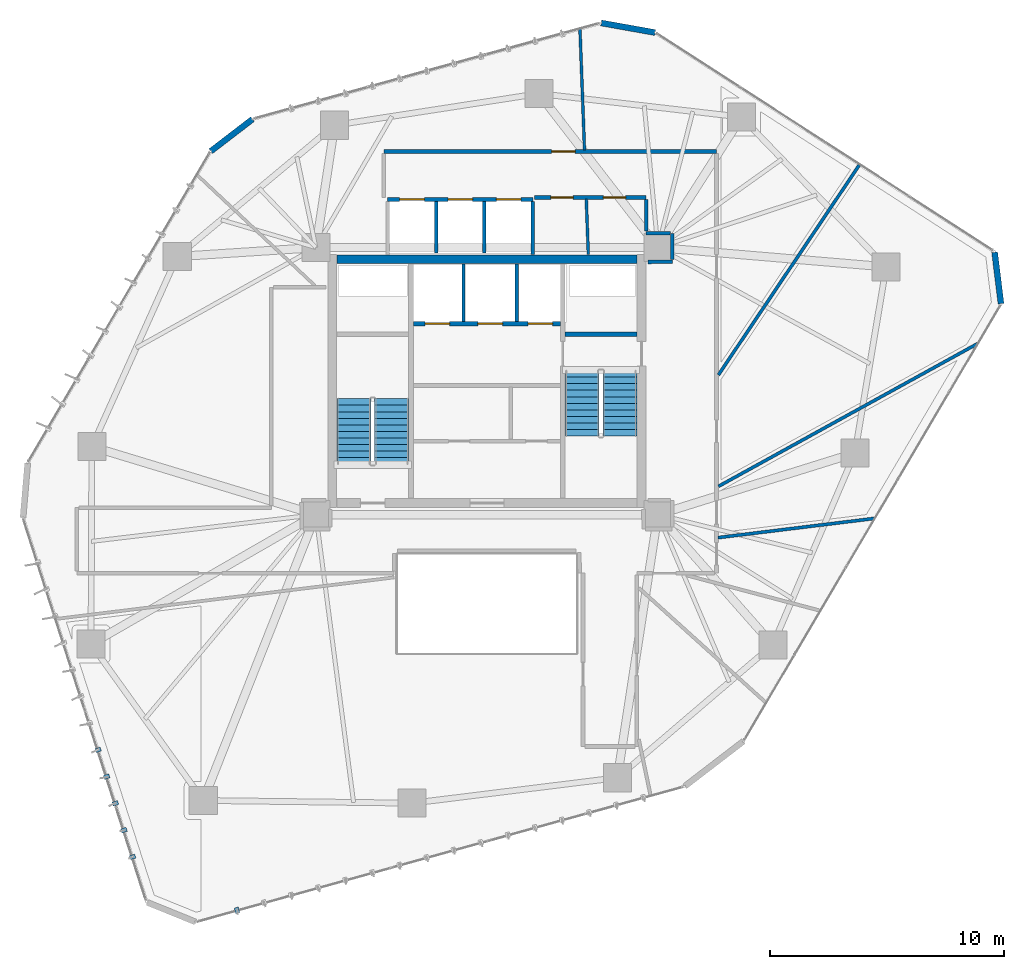
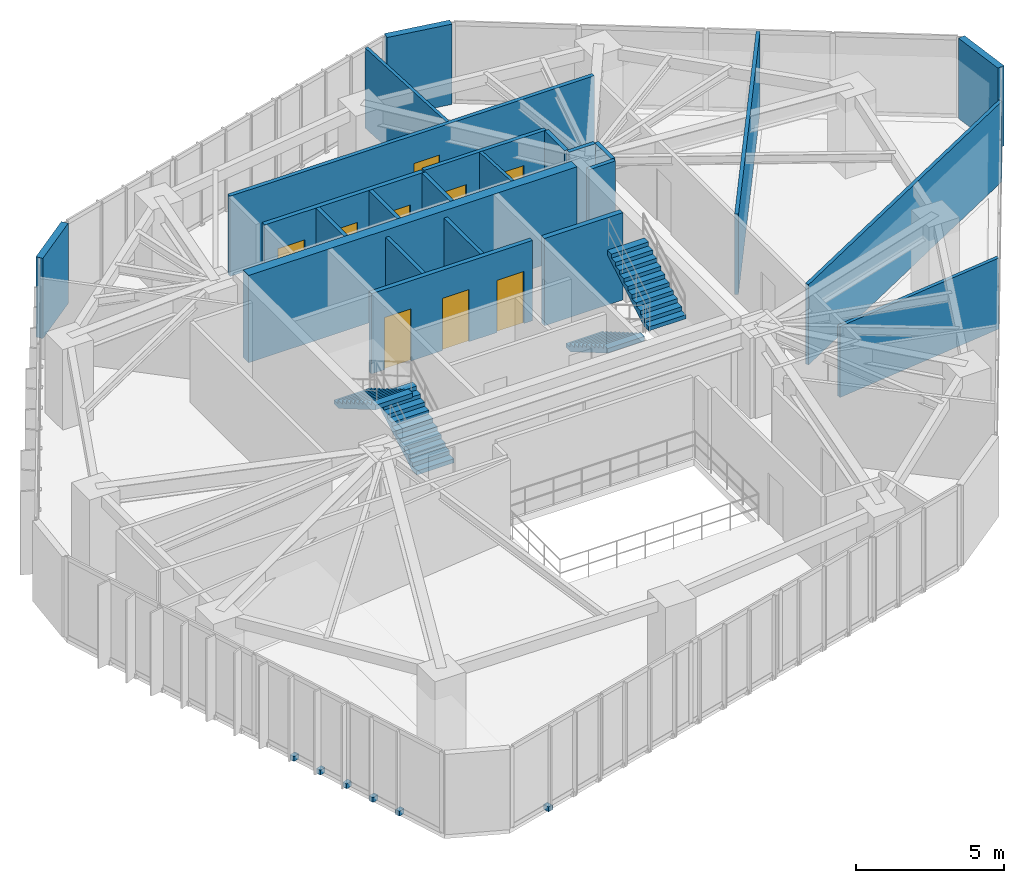
# One storey, part 17 of 20: 23 walls, 9 doors, 6 discrete accessories, 4 stair flights, 9 openings, 2 elements without a shape of their own.
"""IFC4 building model written with IfcOpenShell, lengths in metres."""

import ifcopenshell
import ifcopenshell.guid

model = None  # the IFC model being written
_history = None  # IfcOwnerHistory: only IFC2X3 demands one
_inside = {}  # id of a spatial element -> (the spatial element, [elements in it])
_under = {}  # id of a project, library or spatial element -> (it, [spatial elements below it])
_declared = {}  # id of a project -> (the project, [libraries it declares])
_typed = {}  # id of a type object -> (the type object, [elements of that type])
_made_of = {}  # id of a material, layer set ... -> (it, [elements and type objects made of it])


def new_model(schema):
    """Start an empty IFC model of exactly this schema.

    Asked for "IFC4X3", IfcOpenShell would pick the latest addendum, in which some entities
    have other attributes; the version numbers below select the first issue.
    IFC2X3 requires an IfcOwnerHistory on every rooted entity: one is made here for all.
    """
    global model, _history
    if schema == "IFC4X3":
        model = ifcopenshell.file(schema_version=(4, 3, 0, 0))
    else:
        model = ifcopenshell.file(schema=schema)
    _inside.clear()
    _under.clear()
    _declared.clear()
    _typed.clear()
    _made_of.clear()
    _history = None
    if model.schema == "IFC2X3":
        org = make("IfcOrganization", Name="unknown")
        user = make(
            "IfcPersonAndOrganization",
            ThePerson=make("IfcPerson", FamilyName="unknown"),
            TheOrganization=org,
        )
        app = make(
            "IfcApplication",
            ApplicationDeveloper=org,
            Version="unknown",
            ApplicationFullName="unknown",
            ApplicationIdentifier="unknown",
        )
        _history = make(
            "IfcOwnerHistory",
            OwningUser=user,
            OwningApplication=app,
            ChangeAction="ADDED",
            CreationDate=0,
        )
    return model


def make(cls, **values):
    """One entity of the class cls with the attributes given. An attribute that is None is left unset."""
    return model.create_entity(
        cls, **{name: value for name, value in values.items() if value is not None}
    )


def rooted(cls, **values):
    """An entity with a GlobalId (a new one), such as an element, a storey or a relation."""
    return make(cls, GlobalId=ifcopenshell.guid.new(), OwnerHistory=_history, **values)


def si_unit(unit_type, name, prefix=None):
    """IfcSIUnit, for example si_unit("LENGTHUNIT", "METRE", prefix="MILLI")."""
    return make("IfcSIUnit", UnitType=unit_type, Prefix=prefix, Name=name)


def assignment(units):
    """IfcUnitAssignment: the units of a project."""
    return None if units is None else make("IfcUnitAssignment", Units=units)


def point(xyz):
    """IfcCartesianPoint."""
    return None if xyz is None else make("IfcCartesianPoint", Coordinates=xyz)


def direction(xyz):
    """IfcDirection."""
    return None if xyz is None else make("IfcDirection", DirectionRatios=xyz)


def frame(location, z_axis=None, x_axis=None):
    """IfcAxis2Placement3D, a coordinate frame: its origin and axes. An axis left out is left unset."""
    return make(
        "IfcAxis2Placement3D",
        Location=point(location),
        Axis=direction(z_axis),
        RefDirection=direction(x_axis),
    )


def frame_2d(location, x_axis=None):
    """IfcAxis2Placement2D, a coordinate frame in the plane: its origin and x axis."""
    return make(
        "IfcAxis2Placement2D", Location=point(location), RefDirection=direction(x_axis)
    )


def origin():
    """The frame at (0, 0, 0) with its axes left unset."""
    return frame((0.0, 0.0, 0.0))


def origin_2d():
    """The frame at (0, 0) in the plane with its x axis left unset."""
    return frame_2d((0.0, 0.0))


def place(relative_to, where):
    """IfcLocalPlacement: puts the frame where relative to a parent placement (None: the world)."""
    return make(
        "IfcLocalPlacement", PlacementRelTo=relative_to, RelativePlacement=where
    )


def context(
    kind, dimensions, precision=None, world=None, true_north=None, identifier=None
):
    """IfcGeometricRepresentationContext, for example the 3D "Model" context."""
    return make(
        "IfcGeometricRepresentationContext",
        ContextIdentifier=identifier,
        ContextType=kind,
        CoordinateSpaceDimension=dimensions,
        Precision=precision,
        WorldCoordinateSystem=world,
        TrueNorth=true_north,
    )


def subcontext(parent, identifier, kind, view, scale=None):
    """IfcGeometricRepresentationSubContext, for example "Body" below "Model"."""
    return make(
        "IfcGeometricRepresentationSubContext",
        ContextIdentifier=identifier,
        ContextType=kind,
        ParentContext=parent,
        TargetScale=scale,
        TargetView=view,
    )


def project(units=None, contexts=None):
    """IfcProject with its units and contexts."""
    return rooted(
        "IfcProject",
        Name="project",
        RepresentationContexts=contexts,
        UnitsInContext=assignment(units),
    )


def spatial(cls, under=None, at=None, **own):
    """A site, building, storey or space (cls), placed at a placement, below another one or the project."""
    s = rooted(cls, ObjectPlacement=at, **own)
    if under is not None:
        _under.setdefault(under.id(), (under, []))[1].append(s)
    return s


def polyline(points):
    """IfcPolyline through the points."""
    return make("IfcPolyline", Points=[point(p) for p in points])


def profile(cls, at=None, kind="AREA", **sizes):
    """A parametric profile (cls). Its sizes go by their IFC names, for example OverallWidth=200.0."""
    return make(cls, ProfileType=kind, Position=at, **sizes)


def rectangle(**sizes):
    """IfcRectangleProfileDef."""
    return profile("IfcRectangleProfileDef", **sizes)


def outline(outer, holes=None, kind="AREA"):
    """IfcArbitraryClosedProfileDef: a profile drawn as a closed curve; with holes, ...WithVoids."""
    if holes is None:
        return make("IfcArbitraryClosedProfileDef", ProfileType=kind, OuterCurve=outer)
    return make(
        "IfcArbitraryProfileDefWithVoids",
        ProfileType=kind,
        OuterCurve=outer,
        InnerCurves=holes,
    )


def extrude(swept, where, along, depth):
    """IfcExtrudedAreaSolid: the profile swept, set in the frame where, extruded along a direction by depth."""
    return make(
        "IfcExtrudedAreaSolid",
        SweptArea=swept,
        Position=where,
        ExtrudedDirection=direction(along),
        Depth=depth,
    )


def shape(context_of_items, identifier, shape_type, items):
    """IfcShapeRepresentation: the items that make up one representation, for example the "Body"."""
    return make(
        "IfcShapeRepresentation",
        ContextOfItems=context_of_items,
        RepresentationIdentifier=identifier,
        RepresentationType=shape_type,
        Items=items,
    )


def source(mapping_origin, context_of_items, identifier, shape_type, items):
    """IfcRepresentationMap: a shape defined once, which mapped items show again and again."""
    return make(
        "IfcRepresentationMap",
        MappingOrigin=mapping_origin,
        MappedRepresentation=shape(context_of_items, identifier, shape_type, items),
    )


def transform(
    local_origin,
    x_axis=None,
    y_axis=None,
    z_axis=None,
    scale=None,
    scale2=None,
    scale3=None,
    uniform=True,
):
    """IfcCartesianTransformationOperator3D, or its non-uniform kind. x_axis, y_axis, z_axis: its Axis1, 2, 3."""
    if uniform:
        return make(
            "IfcCartesianTransformationOperator3D",
            Axis1=direction(x_axis),
            Axis2=direction(y_axis),
            LocalOrigin=point(local_origin),
            Scale=scale,
            Axis3=direction(z_axis),
        )
    return make(
        "IfcCartesianTransformationOperator3DnonUniform",
        Axis1=direction(x_axis),
        Axis2=direction(y_axis),
        LocalOrigin=point(local_origin),
        Scale=scale,
        Axis3=direction(z_axis),
        Scale2=scale2,
        Scale3=scale3,
    )


def mapped(mapping_source, mapping_target):
    """IfcMappedItem: shows the shape of a source again, moved by a transform."""
    return make(
        "IfcMappedItem", MappingSource=mapping_source, MappingTarget=mapping_target
    )


def material(Name=None, Category=None):
    """IfcMaterial."""
    return make("IfcMaterial", Name=Name, Category=Category)


def layer(
    of_material, thickness, ventilated=None, Name=None, Category=None, Priority=None
):
    """IfcMaterialLayer: one layer of a wall or slab, of a material (None: an air gap)."""
    return make(
        "IfcMaterialLayer",
        Material=of_material,
        LayerThickness=thickness,
        IsVentilated=ventilated,
        Name=Name,
        Category=Category,
        Priority=Priority,
    )


def layer_set(layers, Name=None):
    """IfcMaterialLayerSet."""
    return make("IfcMaterialLayerSet", MaterialLayers=layers, LayerSetName=Name)


def made_of(thing, what):
    """Note that an element or type object is made of a material, layer set ...; save() writes the relation."""
    if what is not None:
        _made_of.setdefault(what.id(), (what, []))[1].append(thing)
    return thing


def type_object(cls, material=None, **own):
    """A type object (cls), such as IfcWallType, which elements share."""
    return made_of(rooted(cls, **own), material)


def type_shapes(of_type, sources):
    """Give a type object the sources (RepresentationMaps) that its elements show as mapped items."""
    of_type.RepresentationMaps = sources


def element(
    cls,
    number,
    at=None,
    inside=None,
    cuts=None,
    type_object=None,
    material=None,
    context=None,
    identifier="Body",
    shape_type=None,
    held_by="IfcProductDefinitionShape",
    body=None,
    shapes=None,
    **own,
):
    """One element of the class cls, such as IfcWall. Its Tag is "e" and its number.

    at: its placement. inside: the storey or other place that contains it. cuts: it is an
    opening in that element (IfcRelVoidsElement). A single representation is given by context,
    identifier, shape_type and body (its items); several are given by shapes. held_by: the class
    of the entity that holds the representations. save() writes the other relations.
    """
    e = rooted(cls, Tag="e%d" % number, ObjectPlacement=at, **own)
    if body is not None:
        shapes = [shape(context, identifier, shape_type, body)]
    if shapes is not None:
        e.Representation = make(held_by, Representations=shapes)
    if inside is not None:
        _inside.setdefault(inside.id(), (inside, []))[1].append(e)
    if cuts is not None:
        rooted(
            "IfcRelVoidsElement", RelatingBuildingElement=cuts, RelatedOpeningElement=e
        )
    if type_object is not None:
        _typed.setdefault(type_object.id(), (type_object, []))[1].append(e)
    return made_of(e, material)


def fill(opening, filler):
    """IfcRelFillsElement: the door or window that sits in an opening."""
    return rooted(
        "IfcRelFillsElement",
        RelatingOpeningElement=opening,
        RelatedBuildingElement=filler,
    )


def aggregate(whole, parts):
    """IfcRelAggregates: a whole, such as a stair, and the parts it consists of."""
    return rooted("IfcRelAggregates", RelatingObject=whole, RelatedObjects=parts)


def save(model, path):
    """Write the relations noted so far, then the file.

    IfcRelAggregates (storeys below a building ...), IfcRelContainedInSpatialStructure (elements
    in a storey), IfcRelDefinesByType, IfcRelAssociatesMaterial and IfcRelDeclares: one each for
    every whole, place, type object, material and project.
    """
    for whole, parts in _under.values():
        aggregate(whole, parts)
    for where, things in _inside.values():
        rooted(
            "IfcRelContainedInSpatialStructure",
            RelatedElements=things,
            RelatingStructure=where,
        )
    for kind, things in _typed.values():
        rooted("IfcRelDefinesByType", RelatedObjects=things, RelatingType=kind)
    for what, things in _made_of.values():
        rooted("IfcRelAssociatesMaterial", RelatedObjects=things, RelatingMaterial=what)
    for by, libraries in _declared.values():
        rooted("IfcRelDeclares", RelatingContext=by, RelatedDefinitions=libraries)
    model.write(path)


model = new_model("IFC4")

# Units and contexts
model_context = context("Model", 3, precision=1e-05, world=origin(), true_north=direction((0.0, 1.0)))
body_context = subcontext(model_context, "Body", "Model", "MODEL_VIEW")
ifc_project = project(units=[si_unit("LENGTHUNIT", "METRE"), si_unit("AREAUNIT", "SQUARE_METRE"), si_unit("VOLUMEUNIT", "CUBIC_METRE"), si_unit("PLANEANGLEUNIT", "RADIAN"), si_unit("MASSUNIT", "GRAM", prefix="KILO")], contexts=[model_context])

# Site, building, storey
site_placement = place(None, origin())
site = spatial("IfcSite", under=ifc_project, at=site_placement, CompositionType="ELEMENT")
building_placement = place(site_placement, origin())
building = spatial("IfcBuilding", under=site, at=building_placement, Name="Talar Marvaseh", CompositionType="ELEMENT")
storey_placement = place(building_placement, frame((0.0, 0.0, 136.199951171875)))
storey = spatial("IfcBuildingStorey", under=building, at=storey_placement, Name="L35", CompositionType="ELEMENT", Elevation=136.199951171875)

# Walls
ifc_material_1 = material(Name="Precast concrete C45/55", Category="concrete")
ifc_layer_1 = layer(ifc_material_1, 0.2548828125)
ifc_layer_set_1 = layer_set([ifc_layer_1], Name="Precast concrete C45/55")
wall_type_1 = type_object("IfcWallType", Name="Chamfered Hexagonal Corner Pier Wall Z2 255", PredefinedType="SOLIDWALL", material=ifc_layer_set_1)
wall_1_placement = place(storey_placement, frame((14.21435546875, 41.015380859375, 0.0), z_axis=(0.0, 0.0, 1.0), x_axis=(0.793334976885, 0.608785359918, 0.0)))
element("IfcWall", 1, at=wall_1_placement, inside=storey, type_object=wall_type_1, Name="L35 Chamfered Corner Limestone Pier 3", PredefinedType="SOLIDWALL", context=body_context, shape_type="SweptSolid", body=[
    extrude(rectangle(XDim=2.244873046875, YDim=0.2548828125, at=frame_2d((1.12255859375, 0.0))), origin(), (0.0, 0.0, 1.0), 3.31005859375),
])
wall_2_placement = place(storey_placement, frame((30.877685546875, 46.489013671875, 0.0), z_axis=(0.0, 0.0, 1.0), x_axis=(0.984415969766, -0.175855618248, 0.0)))
element("IfcWall", 2, at=wall_2_placement, inside=storey, type_object=wall_type_1, Name="L35 Chamfered Corner Limestone Pier 4", PredefinedType="SOLIDWALL", context=body_context, shape_type="SweptSolid", body=[
    extrude(rectangle(XDim=2.340576171875, YDim=0.2548828125, at=frame_2d((1.17041015625, 0.0))), origin(), (0.0, 0.0, 1.0), 3.31005859375),
])
wall_3_placement = place(storey_placement, frame((47.67431640625, 36.701171875, 0.0), z_axis=(0.0, 0.0, 1.0), x_axis=(0.123139983313, -0.992389310961, 0.0)))
element("IfcWall", 3, at=wall_3_placement, inside=storey, type_object=wall_type_1, Name="L35 Chamfered Corner Limestone Pier 5", PredefinedType="SOLIDWALL", context=body_context, shape_type="SweptSolid", body=[
    extrude(rectangle(XDim=2.216552734375, YDim=0.2548828125, at=frame_2d((1.1083984375, 0.0))), origin(), (0.0, 0.0, 1.0), 3.31005859375),
])

# Wall, openings, doors
ifc_material_2 = material(Name="Gypsum Board Partition Assembly")
ifc_layer_2 = layer(ifc_material_2, 0.155029296875)
ifc_layer_set_2 = layer_set([ifc_layer_2], Name="Gypsum Board Partition Assembly")
wall_type_2 = type_object("IfcWallType", Name="Corridor Fire-Rated Acoustic Partition 155", PredefinedType="PARTITIONING", material=ifc_layer_set_2)
wall_4_placement = place(storey_placement, frame((32.800048828125, 39.0400390625, 0.0), z_axis=(0.0, 0.0, 1.0), x_axis=(-1.0, 0.0, 0.0)))
wall_4 = element("IfcWall", 4, at=wall_4_placement, inside=storey, type_object=wall_type_2, Name="L35 Interior Partition Wall", PredefinedType="PARTITIONING", context=body_context, shape_type="SweptSolid", body=[
    extrude(rectangle(XDim=4.77001953125, YDim=0.155029296875, at=frame_2d((2.385009765625, 0.0))), origin(), (0.0, 0.0, 1.0), 3.31005859375),
])
opening_1_placement = place(wall_4_placement, frame((0.874267578125, 0.0, 0.0)))
opening_1 = element("IfcOpeningElement", 5, at=opening_1_placement, cuts=wall_4, Name="Opening DR-WC095", PredefinedType="OPENING", context=body_context, shape_type="SweptSolid", body=[
    extrude(rectangle(XDim=0.949951171875, YDim=2.14990234375, at=frame_2d((0.47509765625, 1.074951171875))), frame((0.0, 0.08740234375, 0.0), z_axis=(0.0, -1.0, 0.0), x_axis=(1.0, 0.0, 0.0)), (0.0, 0.0, 1.0), 0.175048828125),
])
opening_2_placement = place(wall_4_placement, frame((3.119384765625, 0.0, 0.0)))
opening_2 = element("IfcOpeningElement", 6, at=opening_2_placement, cuts=wall_4, Name="Opening DR-WC095", PredefinedType="OPENING", context=body_context, shape_type="SweptSolid", body=[
    extrude(rectangle(XDim=0.949951171875, YDim=2.14990234375, at=frame_2d((0.47509765625, 1.074951171875))), frame((0.0, 0.08740234375, 0.0), z_axis=(0.0, -1.0, 0.0), x_axis=(1.0, 0.0, 0.0)), (0.0, 0.0, 1.0), 0.175048828125),
])
ifc_material_3 = material(Name="Acoustic Engineered Oak Timber", Category="wood")
door_type_1 = type_object("IfcDoorType", Name="Washroom and Service Room Door 950x2150", OperationType="NOTDEFINED", PredefinedType="DOOR", material=ifc_material_3)
shared_shape_1 = source(origin(), body_context, "Body", "SweptSolid", [
    extrude(rectangle(XDim=0.949951171875, YDim=2.14990234375, at=frame_2d((0.47509765625, 1.074951171875))), frame((0.0, 0.02490234375, 0.0), z_axis=(0.0, -1.0, 0.0), x_axis=(1.0, 0.0, 0.0)), (0.0, 0.0, 1.0), 0.050048828125),
])
type_shapes(door_type_1, [shared_shape_1])
door_1_placement = place(opening_1_placement, origin())
door_1 = element("IfcDoor", 7, at=door_1_placement, inside=storey, type_object=door_type_1, Name="L35 Accessible WC Door", OperationType="SINGLE_SWING_LEFT", OverallHeight=2.14990234375, OverallWidth=0.949951171875, PredefinedType="DOOR", context=body_context, shape_type="MappedRepresentation", body=[
    mapped(shared_shape_1, transform((0.0, 0.0, 0.0), x_axis=(1.0, 0.0, 0.0), y_axis=(0.0, 1.0, 0.0), z_axis=(0.0, 0.0, 1.0), scale=1.0)),
])
fill(opening_1, door_1)
door_2_placement = place(opening_2_placement, origin())
door_2 = element("IfcDoor", 8, at=door_2_placement, inside=storey, type_object=door_type_1, Name="L35 WC Public Washrooms Door", OperationType="SINGLE_SWING_RIGHT", OverallHeight=2.14990234375, OverallWidth=0.949951171875, PredefinedType="DOOR", context=body_context, shape_type="MappedRepresentation", body=[
    mapped(shared_shape_1, transform((0.0, 0.0, 0.0), x_axis=(1.0, 0.0, 0.0), y_axis=(0.0, 1.0, 0.0), z_axis=(0.0, 0.0, 1.0), scale=1.0)),
])
fill(opening_2, door_2)

# Wall, opening, door
wall_5_placement = place(storey_placement, frame((21.60009765625, 41.0, 0.0), z_axis=(0.0, 0.0, 1.0), x_axis=(1.0, 0.0, 0.0)))
wall_5 = element("IfcWall", 9, at=wall_5_placement, inside=storey, type_object=wall_type_2, Name="L35 Interior Partition Wall", PredefinedType="PARTITIONING", context=body_context, shape_type="SweptSolid", body=[
    extrude(rectangle(XDim=14.199951171875, YDim=0.155029296875, at=frame_2d((7.10009765625, 0.0))), origin(), (0.0, 0.0, 1.0), 3.31005859375),
])
opening_3_placement = place(wall_5_placement, frame((7.163818359375, 0.0, 0.0)))
opening_3 = element("IfcOpeningElement", 10, at=opening_3_placement, cuts=wall_5, Name="Opening DR-RM100", PredefinedType="OPENING", context=body_context, shape_type="SweptSolid", body=[
    extrude(rectangle(XDim=1.0, YDim=2.14990234375, at=frame_2d((0.5, 1.074951171875))), frame((0.0, 0.08740234375, 0.0), z_axis=(0.0, -1.0, 0.0), x_axis=(1.0, 0.0, 0.0)), (0.0, 0.0, 1.0), 0.175048828125),
])
door_type_2 = type_object("IfcDoorType", Name="Corridor Fire-Rated Gallery Door 1000x2150", OperationType="NOTDEFINED", PredefinedType="DOOR", material=ifc_material_3)
shared_shape_2 = source(origin(), body_context, "Body", "SweptSolid", [
    extrude(rectangle(XDim=1.0, YDim=2.14990234375, at=frame_2d((0.5, 1.074951171875))), frame((0.0, 0.02490234375, 0.0), z_axis=(0.0, -1.0, 0.0), x_axis=(1.0, 0.0, 0.0)), (0.0, 0.0, 1.0), 0.050048828125),
])
type_shapes(door_type_2, [shared_shape_2])
door_3_placement = place(opening_3_placement, origin())
door_3 = element("IfcDoor", 11, at=door_3_placement, inside=storey, type_object=door_type_2, Name="L35 Quiet Research Study Door", OperationType="SINGLE_SWING_LEFT", OverallHeight=2.14990234375, OverallWidth=1.0, PredefinedType="DOOR", context=body_context, shape_type="MappedRepresentation", body=[
    mapped(shared_shape_2, transform((0.0, 0.0, 0.0), x_axis=(1.0, 0.0, 0.0), y_axis=(0.0, 1.0, 0.0), z_axis=(0.0, 0.0, 1.0), scale=1.0)),
])
fill(opening_3, door_3)

# Walls
wall_6_placement = place(storey_placement, frame((32.8701171875, 36.284912109375, 0.0), z_axis=(0.0, 0.0, 1.0), x_axis=(0.999895094683, 0.014484461652, 0.0)))
element("IfcWall", 12, at=wall_6_placement, inside=storey, type_object=wall_type_2, Name="L35 Interior Partition Wall", PredefinedType="PARTITIONING", context=body_context, shape_type="SweptSolid", body=[
    extrude(rectangle(XDim=1.044921875, YDim=0.155029296875, at=frame_2d((0.5224609375, 0.0))), origin(), (0.0, 0.0, 1.0), 3.31005859375),
])
wall_7_placement = place(storey_placement, frame((33.914794921875, 36.383544921875, 0.0), z_axis=(0.0, 0.0, 1.0), x_axis=(-0.003682817312, 0.999993218405, 0.0)))
element("IfcWall", 13, at=wall_7_placement, inside=storey, type_object=wall_type_2, Name="L35 Interior Partition Wall", PredefinedType="PARTITIONING", context=body_context, shape_type="SweptSolid", body=[
    extrude(rectangle(XDim=1.126953125, YDim=0.155029296875, at=frame_2d((0.5634765625, 0.0))), origin(), (0.0, 0.0, 1.0), 3.31005859375),
])
wall_8_placement = place(storey_placement, frame((33.8271484375, 37.510986328125, 0.0), z_axis=(0.0, 0.0, 1.0), x_axis=(-0.99999276797, 0.003803157663, 0.0)))
element("IfcWall", 14, at=wall_8_placement, inside=storey, type_object=wall_type_2, Name="L35 Interior Partition Wall", PredefinedType="PARTITIONING", context=body_context, shape_type="SweptSolid", body=[
    extrude(rectangle(XDim=1.027099609375, YDim=0.155029296875, at=frame_2d((0.513671875, 0.0))), origin(), (0.0, 0.0, 1.0), 3.31005859375),
])
wall_9_placement = place(storey_placement, frame((32.800048828125, 37.598388671875, 0.0), z_axis=(0.0, 0.0, 1.0), x_axis=(0.0, 1.0, 0.0)))
element("IfcWall", 15, at=wall_9_placement, inside=storey, type_object=wall_type_2, Name="L35 Interior Partition Wall", PredefinedType="PARTITIONING", context=body_context, shape_type="SweptSolid", body=[
    extrude(rectangle(XDim=1.358154296875, YDim=0.155029296875, at=frame_2d((0.67919921875, 0.0))), origin(), (0.0, 0.0, 1.0), 3.31005859375),
])
ifc_layer_3 = layer(ifc_material_2, 0.1201171875)
ifc_layer_set_3 = layer_set([ifc_layer_3], Name="Gypsum Board Partition Assembly")
wall_type_3 = type_object("IfcWallType", Name="Demountable Studio Room Partition 120", PredefinedType="PARTITIONING", material=ifc_layer_set_3)
wall_10_placement = place(storey_placement, frame((30.16748046875, 41.06494140625, 0.0), z_axis=(0.0, 0.0, 1.0), x_axis=(-0.037671559517, 0.999290174876, 0.0)))
element("IfcWall", 16, at=wall_10_placement, inside=storey, type_object=wall_type_3, Name="L35 Interior Partition Wall", PredefinedType="PARTITIONING", context=body_context, shape_type="SweptSolid", body=[
    extrude(rectangle(XDim=5.15869140625, YDim=0.1201171875, at=frame_2d((2.579345703125, 0.0))), origin(), (0.0, 0.0, 1.0), 3.31005859375),
])
wall_11_placement = place(storey_placement, frame((30.330078125, 36.60009765625, 0.0), z_axis=(0.0, 0.0, 1.0), x_axis=(-0.036878679102, 0.999319750144, 0.0)))
element("IfcWall", 17, at=wall_11_placement, inside=storey, type_object=wall_type_3, Name="L35 Interior Partition Wall", PredefinedType="PARTITIONING", context=body_context, shape_type="SweptSolid", body=[
    extrude(rectangle(XDim=2.376708984375, YDim=0.1201171875, at=frame_2d((1.1884765625, 0.0))), origin(), (0.0, 0.0, 1.0), 3.31005859375),
])
ifc_layer_4 = layer(ifc_material_1, 0.14501953125)
ifc_layer_set_4 = layer_set([ifc_layer_4], Name="Precast concrete C45/55")
wall_type_4 = type_object("IfcWallType", Name="Fire-Rated Lift Divider Wall 145", PredefinedType="SOLIDWALL", material=ifc_layer_set_4)
for number, where, z_axis, x_axis, name in (
    (18, (25.0, 33.743408203125, 0.0), (0.0, 0.0, 1.0), (0.0, 1.0, 0.0), "L35 FFL-1/FFL-2 Divider"),
    (19, (27.280029296875, 33.743408203125, 0.0), (0.0, 0.0, 1.0), (0.0, 1.0, 0.0), "L35 FFL-2/SVL-1 Divider"),
):
    element("IfcWall", number, at=place(storey_placement, frame(where, z_axis=z_axis, x_axis=x_axis)), inside=storey, type_object=wall_type_4, Name=name, PredefinedType="SOLIDWALL", context=body_context, shape_type="SweptSolid", body=[
        extrude(rectangle(XDim=2.45654296875, YDim=0.14501953125, at=frame_2d((1.228271484375, 0.0))), origin(), (0.0, 0.0, 1.0), 3.31005859375),
    ])
wall_12_placement = place(storey_placement, frame((27.9599609375, 36.60009765625, 0.0), z_axis=(0.0, 0.0, 1.0), x_axis=(0.0, 1.0, 0.0)))
element("IfcWall", 20, at=wall_12_placement, inside=storey, type_object=wall_type_4, Name="L35 Low-Rise Bank East Wall", PredefinedType="SOLIDWALL", context=body_context, shape_type="SweptSolid", body=[
    extrude(rectangle(XDim=2.266357421875, YDim=0.14501953125, at=frame_2d((1.13330078125, 0.0))), origin(), (0.0, 0.0, 1.0), 3.31005859375),
])
for number, where, z_axis, x_axis, name in (
    (21, (23.830078125, 36.659912109375, 0.0), (0.0, 0.0, 1.0), (0.0, 1.0, 0.0), "L35 PL-L1/PL-L2 Divider"),
    (22, (25.889892578125, 36.659912109375, 0.0), (0.0, 0.0, 1.0), (0.0, 1.0, 0.0), "L35 PL-L2/PL-L3 Divider"),
):
    element("IfcWall", number, at=place(storey_placement, frame(where, z_axis=z_axis, x_axis=x_axis)), inside=storey, type_object=wall_type_4, Name=name, PredefinedType="SOLIDWALL", context=body_context, shape_type="SweptSolid", body=[
        extrude(rectangle(XDim=2.20654296875, YDim=0.14501953125, at=frame_2d((1.103271484375, 0.0))), origin(), (0.0, 0.0, 1.0), 3.31005859375),
    ])

# Wall, openings, doors
ifc_layer_5 = layer(ifc_material_1, 0.175048828125)
ifc_layer_set_5 = layer_set([ifc_layer_5], Name="Precast concrete C45/55")
wall_type_5 = type_object("IfcWallType", Name="Fire-Rated Lift Hoistway Enclosure Wall 175", PredefinedType="SOLIDWALL", material=ifc_layer_set_5)
wall_13_placement = place(storey_placement, frame((22.860107421875, 33.64990234375, 0.0), z_axis=(0.0, 0.0, 1.0), x_axis=(1.0, 0.0, 0.0)))
wall_13 = element("IfcWall", 23, at=wall_13_placement, inside=storey, type_object=wall_type_5, Name="L35 Firefighting and Service Lift Front Wall", PredefinedType="SOLIDWALL", context=body_context, shape_type="SweptSolid", body=[
    extrude(rectangle(XDim=6.27978515625, YDim=0.175048828125, at=frame_2d((3.139892578125, 0.0))), origin(), (0.0, 0.0, 1.0), 3.31005859375),
])
opening_4_placement = place(wall_13_placement, frame((0.5, 0.0, 0.0)))
opening_4 = element("IfcOpeningElement", 24, at=opening_4_placement, cuts=wall_13, Name="Opening LD-FF1", PredefinedType="OPENING", context=body_context, shape_type="SweptSolid", body=[
    extrude(rectangle(XDim=1.050048828125, YDim=2.14990234375, at=frame_2d((0.52490234375, 1.074951171875))), frame((0.0, 0.09765625, 0.0), z_axis=(0.0, -1.0, 0.0), x_axis=(1.0, 0.0, 0.0)), (0.0, 0.0, 1.0), 0.195068359375),
])
opening_5_placement = place(wall_13_placement, frame((2.760009765625, 0.0, 0.0)))
opening_5 = element("IfcOpeningElement", 25, at=opening_5_placement, cuts=wall_13, Name="Opening LD-FF2", PredefinedType="OPENING", context=body_context, shape_type="SweptSolid", body=[
    extrude(rectangle(XDim=1.050048828125, YDim=2.14990234375, at=frame_2d((0.52490234375, 1.074951171875))), frame((0.0, 0.09765625, 0.0), z_axis=(0.0, -1.0, 0.0), x_axis=(1.0, 0.0, 0.0)), (0.0, 0.0, 1.0), 0.195068359375),
])
opening_6_placement = place(wall_13_placement, frame((4.89990234375, 0.0, 0.0)))
opening_6 = element("IfcOpeningElement", 26, at=opening_6_placement, cuts=wall_13, Name="Opening LD-SV1", PredefinedType="OPENING", context=body_context, shape_type="SweptSolid", body=[
    extrude(rectangle(XDim=1.050048828125, YDim=2.14990234375, at=frame_2d((0.52490234375, 1.074951171875))), frame((0.0, 0.09765625, 0.0), z_axis=(0.0, -1.0, 0.0), x_axis=(1.0, 0.0, 0.0)), (0.0, 0.0, 1.0), 0.195068359375),
])
ifc_material_4 = material(Name="Stainless Steel Grade 316", Category="steel")
door_type_3 = type_object("IfcDoorType", Name="Automatic Sliding Lift Landing Door 1050x2150", OperationType="NOTDEFINED", PredefinedType="DOOR", material=ifc_material_4)
shared_shape_3 = source(origin(), body_context, "Body", "SweptSolid", [
    extrude(rectangle(XDim=1.050048828125, YDim=2.14990234375, at=frame_2d((0.52490234375, 1.074951171875))), frame((0.0, 0.02490234375, 0.0), z_axis=(0.0, -1.0, 0.0), x_axis=(1.0, 0.0, 0.0)), (0.0, 0.0, 1.0), 0.050048828125),
])
type_shapes(door_type_3, [shared_shape_3])
door_4_placement = place(opening_4_placement, origin())
door_4 = element("IfcDoor", 27, at=door_4_placement, inside=storey, type_object=door_type_3, Name="L35 Lift FFL-1 Sliding Landing Door", OperationType="SLIDING_TO_LEFT", OverallHeight=2.14990234375, OverallWidth=1.050048828125, PredefinedType="DOOR", context=body_context, shape_type="MappedRepresentation", body=[
    mapped(shared_shape_3, transform((0.0, 0.0, 0.0), x_axis=(1.0, 0.0, 0.0), y_axis=(0.0, 1.0, 0.0), z_axis=(0.0, 0.0, 1.0), scale=1.0)),
])
fill(opening_4, door_4)
door_5_placement = place(opening_5_placement, origin())
door_5 = element("IfcDoor", 28, at=door_5_placement, inside=storey, type_object=door_type_3, Name="L35 Lift FFL-2 Sliding Landing Door", OperationType="SLIDING_TO_LEFT", OverallHeight=2.14990234375, OverallWidth=1.050048828125, PredefinedType="DOOR", context=body_context, shape_type="MappedRepresentation", body=[
    mapped(shared_shape_3, transform((0.0, 0.0, 0.0), x_axis=(1.0, 0.0, 0.0), y_axis=(0.0, 1.0, 0.0), z_axis=(0.0, 0.0, 1.0), scale=1.0)),
])
fill(opening_5, door_5)
door_6_placement = place(opening_6_placement, origin())
door_6 = element("IfcDoor", 29, at=door_6_placement, inside=storey, type_object=door_type_3, Name="L35 Lift SVL-1 Sliding Landing Door", OperationType="SLIDING_TO_LEFT", OverallHeight=2.14990234375, OverallWidth=1.050048828125, PredefinedType="DOOR", context=body_context, shape_type="MappedRepresentation", body=[
    mapped(shared_shape_3, transform((0.0, 0.0, 0.0), x_axis=(1.0, 0.0, 0.0), y_axis=(0.0, 1.0, 0.0), z_axis=(0.0, 0.0, 1.0), scale=1.0)),
])
fill(opening_6, door_6)

wall_14_placement = place(storey_placement, frame((21.760009765625, 38.9599609375, 0.0), z_axis=(0.0, 0.0, 1.0), x_axis=(1.0, 0.0, 0.0)))
wall_14 = element("IfcWall", 30, at=wall_14_placement, inside=storey, type_object=wall_type_5, Name="L35 Low-Rise Lift Bank Front Wall", PredefinedType="SOLIDWALL", context=body_context, shape_type="SweptSolid", body=[
    extrude(rectangle(XDim=6.199951171875, YDim=0.175048828125, at=frame_2d((3.10009765625, 0.0))), origin(), (0.0, 0.0, 1.0), 3.31005859375),
])
opening_7_placement = place(wall_14_placement, frame((0.52001953125, 0.0, 0.0)))
opening_7 = element("IfcOpeningElement", 31, at=opening_7_placement, cuts=wall_14, Name="Opening LD-PLL1", PredefinedType="OPENING", context=body_context, shape_type="SweptSolid", body=[
    extrude(rectangle(XDim=1.050048828125, YDim=2.14990234375, at=frame_2d((0.52490234375, 1.074951171875))), frame((0.0, 0.09765625, 0.0), z_axis=(0.0, -1.0, 0.0), x_axis=(1.0, 0.0, 0.0)), (0.0, 0.0, 1.0), 0.195068359375),
])
opening_8_placement = place(wall_14_placement, frame((2.580078125, 0.0, 0.0)))
opening_8 = element("IfcOpeningElement", 32, at=opening_8_placement, cuts=wall_14, Name="Opening LD-PLL2", PredefinedType="OPENING", context=body_context, shape_type="SweptSolid", body=[
    extrude(rectangle(XDim=1.050048828125, YDim=2.14990234375, at=frame_2d((0.52490234375, 1.074951171875))), frame((0.0, 0.09765625, 0.0), z_axis=(0.0, -1.0, 0.0), x_axis=(1.0, 0.0, 0.0)), (0.0, 0.0, 1.0), 0.195068359375),
])
opening_9_placement = place(wall_14_placement, frame((4.639892578125, 0.0, 0.0)))
opening_9 = element("IfcOpeningElement", 33, at=opening_9_placement, cuts=wall_14, Name="Opening LD-PLL3", PredefinedType="OPENING", context=body_context, shape_type="SweptSolid", body=[
    extrude(rectangle(XDim=1.050048828125, YDim=2.14990234375, at=frame_2d((0.52490234375, 1.074951171875))), frame((0.0, 0.09765625, 0.0), z_axis=(0.0, -1.0, 0.0), x_axis=(1.0, 0.0, 0.0)), (0.0, 0.0, 1.0), 0.195068359375),
])
door_7_placement = place(opening_7_placement, origin())
door_7 = element("IfcDoor", 34, at=door_7_placement, inside=storey, type_object=door_type_3, Name="L35 Lift PL-L1 Sliding Landing Door", OperationType="SLIDING_TO_LEFT", OverallHeight=2.14990234375, OverallWidth=1.050048828125, PredefinedType="DOOR", context=body_context, shape_type="MappedRepresentation", body=[
    mapped(shared_shape_3, transform((0.0, 0.0, 0.0), x_axis=(1.0, 0.0, 0.0), y_axis=(0.0, 1.0, 0.0), z_axis=(0.0, 0.0, 1.0), scale=1.0)),
])
fill(opening_7, door_7)
door_8_placement = place(opening_8_placement, origin())
door_8 = element("IfcDoor", 35, at=door_8_placement, inside=storey, type_object=door_type_3, Name="L35 Lift PL-L2 Sliding Landing Door", OperationType="SLIDING_TO_LEFT", OverallHeight=2.14990234375, OverallWidth=1.050048828125, PredefinedType="DOOR", context=body_context, shape_type="MappedRepresentation", body=[
    mapped(shared_shape_3, transform((0.0, 0.0, 0.0), x_axis=(1.0, 0.0, 0.0), y_axis=(0.0, 1.0, 0.0), z_axis=(0.0, 0.0, 1.0), scale=1.0)),
])
fill(opening_8, door_8)
door_9_placement = place(opening_9_placement, origin())
door_9 = element("IfcDoor", 36, at=door_9_placement, inside=storey, type_object=door_type_3, Name="L35 Lift PL-L3 Sliding Landing Door", OperationType="SLIDING_TO_LEFT", OverallHeight=2.14990234375, OverallWidth=1.050048828125, PredefinedType="DOOR", context=body_context, shape_type="MappedRepresentation", body=[
    mapped(shared_shape_3, transform((0.0, 0.0, 0.0), x_axis=(1.0, 0.0, 0.0), y_axis=(0.0, 1.0, 0.0), z_axis=(0.0, 0.0, 1.0), scale=1.0)),
])
fill(opening_9, door_9)

# Walls
ifc_layer_6 = layer(ifc_material_2, 0.135009765625)
ifc_layer_set_6 = layer_set([ifc_layer_6], Name="Gypsum Board Partition Assembly")
wall_type_6 = type_object("IfcWallType", Name="Gallery High-Acoustic Partition 135", PredefinedType="PARTITIONING", material=ifc_layer_set_6)
wall_15_placement = place(storey_placement, frame((35.864501953125, 24.517822265625, 0.0), z_axis=(0.0, 0.0, 1.0), x_axis=(0.992552469347, 0.121817878792, 0.0)))
element("IfcWall", 37, at=wall_15_placement, inside=storey, type_object=wall_type_6, Name="L35 Interior Partition Wall", PredefinedType="PARTITIONING", context=body_context, shape_type="SweptSolid", body=[
    extrude(rectangle(XDim=6.723876953125, YDim=0.135009765625, at=frame_2d((3.36181640625, 0.0))), origin(), (0.0, 0.0, 1.0), 2.927001953125),
])
wall_16_placement = place(storey_placement, frame((35.883544921875, 26.7060546875, 0.0), z_axis=(0.0, 0.0, 1.0), x_axis=(0.875905465802, 0.482482761328, 0.0)))
element("IfcWall", 38, at=wall_16_placement, inside=storey, type_object=wall_type_6, Name="L35 Interior Partition Wall", PredefinedType="PARTITIONING", context=body_context, shape_type="SweptSolid", body=[
    extrude(rectangle(XDim=12.62646484375, YDim=0.135009765625, at=frame_2d((6.313232421875, 0.0))), origin(), (0.0, 0.0, 1.0), 3.31005859375),
])
wall_17_placement = place(storey_placement, frame((35.883544921875, 31.464599609375, 0.0), z_axis=(0.0, 0.0, 1.0), x_axis=(0.557271129469, 0.830330589742, 0.0)))
element("IfcWall", 39, at=wall_17_placement, inside=storey, type_object=wall_type_6, Name="L35 Interior Partition Wall", PredefinedType="PARTITIONING", context=body_context, shape_type="SweptSolid", body=[
    extrude(rectangle(XDim=10.79248046875, YDim=0.135009765625, at=frame_2d((5.396240234375, 0.0))), origin(), (0.0, 0.0, 1.0), 3.31005859375),
])
ifc_material_5 = material(Name="Concrete C60/75", Category="concrete")
ifc_layer_7 = layer(ifc_material_5, 0.3798828125)
ifc_layer_set_7 = layer_set([ifc_layer_7], Name="Concrete C60/75")
wall_type_7 = type_object("IfcWallType", Name="Mid Core Reinforced Concrete Shear Wall 380", PredefinedType="SHEAR", material=ifc_layer_set_7)
wall_18_placement = place(storey_placement, frame((19.60009765625, 36.39990234375, 0.0), z_axis=(0.0, 0.0, 1.0), x_axis=(1.0, 0.0, 0.0)))
element("IfcWall", 40, at=wall_18_placement, inside=storey, type_object=wall_type_7, Name="L35 North Core Shear Wall", PredefinedType="SHEAR", context=body_context, shape_type="SweptSolid", body=[
    extrude(rectangle(XDim=12.7998046875, YDim=0.3798828125, at=frame_2d((6.39990234375, 0.0))), origin(), (0.0, 0.0, 1.0), 3.60009765625),
])
ifc_material_6 = material(Name="Concrete C50/60", Category="concrete")
ifc_layer_8 = layer(ifc_material_6, 0.199951171875)
ifc_layer_set_8 = layer_set([ifc_layer_8], Name="Concrete C50/60")
wall_type_8 = type_object("IfcWallType", Name="Stair Shaft Structural Concrete Shear Wall 200", PredefinedType="SHEAR", material=ifc_layer_set_8)
wall_19_placement = place(storey_placement, frame((29.340087890625, 33.199951171875, 0.0), z_axis=(0.0, 0.0, 1.0), x_axis=(1.0, 0.0, 0.0)))
element("IfcWall", 41, at=wall_19_placement, inside=storey, type_object=wall_type_8, Name="L35 Stair ST-2 North Shear Wall", PredefinedType="SHEAR", context=body_context, shape_type="SweptSolid", body=[
    extrude(rectangle(XDim=3.059814453125, YDim=0.199951171875, at=frame_2d((1.52978515625, 0.0))), origin(), (0.0, 0.0, 1.0), 3.60009765625),
])

# Stair, stair flights
ifc_material_7 = material(Name="Concrete C40/50", Category="concrete")
stair_type = type_object("IfcStairType", Name="Reinforced Concrete Half-Turn Exit Stair Type B", PredefinedType="HALF_TURN_STAIR", material=ifc_material_7)
stair_1_placement = place(storey_placement, origin())
stair_1 = element("IfcStair", 42, at=stair_1_placement, inside=storey, type_object=stair_type, Name="L35 Tower West Core Exit Stair", PredefinedType="HALF_TURN_STAIR")
ifc_layer_9 = layer(ifc_material_7, 0.159912109375)
ifc_layer_set_9 = layer_set([ifc_layer_9], Name="Concrete C40/50")
stair_flight_type = type_object("IfcStairFlightType", Name="Reinforced Concrete Straight Stair Flight 160", PredefinedType="STRAIGHT", material=ifc_layer_set_9)
stair_flight_1_placement = place(storey_placement, frame((21.93505859375, 27.64990234375, 0.0), z_axis=(0.0, 0.0, 1.0), x_axis=(0.0, 1.0, 0.0)))
stair_flight_1 = element("IfcStairFlight", 43, at=stair_flight_1_placement, type_object=stair_flight_type, Name="ST-1 flight 1", NumberOfRisers=11, NumberOfTreads=10, PredefinedType="STRAIGHT", RiserHeight=0.163636364, TreadLength=0.28, context=body_context, shape_type="SweptSolid", body=[
    extrude(outline(polyline([(0.0, 0.0), (0.0, 0.16357421875), (0.280029296875, 0.16357421875), (0.280029296875, 0.327392578125), (0.56005859375, 0.327392578125), (0.56005859375, 0.490966796875), (0.840087890625, 0.490966796875), (0.840087890625, 0.654541015625), (1.1201171875, 0.654541015625), (1.1201171875, 0.818115234375), (1.39990234375, 0.818115234375), (1.39990234375, 0.98193359375), (1.679931640625, 0.98193359375), (1.679931640625, 1.1455078125), (1.9599609375, 1.1455078125), (1.9599609375, 1.30908203125), (2.239990234375, 1.30908203125), (2.239990234375, 1.47265625), (2.52001953125, 1.47265625), (2.52001953125, 1.636474609375), (2.800048828125, 1.636474609375), (2.800048828125, 1.800048828125), (2.800048828125, 1.451171875), (0.31689453125, 0.0), (0.0, 0.0)])), frame((0.0, 0.72509765625, 0.0), z_axis=(0.0, -1.0, 0.0), x_axis=(1.0, 0.0, 0.0)), (0.0, 0.0, 1.0), 1.449951171875),
])
stair_flight_2_placement = place(storey_placement, frame((20.324951171875, 30.449951171875, 1.800048828125), z_axis=(0.0, 0.0, 1.0), x_axis=(0.0, -1.0, 0.0)))
stair_flight_2 = element("IfcStairFlight", 44, at=stair_flight_2_placement, type_object=stair_flight_type, Name="ST-1 flight 2", NumberOfRisers=11, NumberOfTreads=10, PredefinedType="STRAIGHT", RiserHeight=0.163636364, TreadLength=0.28, context=body_context, shape_type="SweptSolid", body=[
    extrude(outline(polyline([(0.0, 0.0), (0.0, 0.16357421875), (0.280029296875, 0.16357421875), (0.280029296875, 0.327392578125), (0.56005859375, 0.327392578125), (0.56005859375, 0.490966796875), (0.840087890625, 0.490966796875), (0.840087890625, 0.654541015625), (1.1201171875, 0.654541015625), (1.1201171875, 0.818115234375), (1.39990234375, 0.818115234375), (1.39990234375, 0.98193359375), (1.679931640625, 0.98193359375), (1.679931640625, 1.1455078125), (1.9599609375, 1.1455078125), (1.9599609375, 1.30908203125), (2.239990234375, 1.30908203125), (2.239990234375, 1.47265625), (2.52001953125, 1.47265625), (2.52001953125, 1.636474609375), (2.800048828125, 1.636474609375), (2.800048828125, 1.800048828125), (2.800048828125, 1.451171875), (0.31689453125, 0.0), (0.0, 0.0)])), frame((0.0, 0.72509765625, 0.0), z_axis=(0.0, -1.0, 0.0), x_axis=(1.0, 0.0, 0.0)), (0.0, 0.0, 1.0), 1.449951171875),
])
aggregate(stair_1, [stair_flight_1, stair_flight_2])

stair_2_placement = place(storey_placement, origin())
stair_2 = element("IfcStair", 45, at=stair_2_placement, inside=storey, type_object=stair_type, Name="L35 Tower East Core Exit Stair", PredefinedType="HALF_TURN_STAIR")
stair_flight_3_placement = place(storey_placement, frame((30.06494140625, 31.64990234375, 0.0), z_axis=(0.0, 0.0, 1.0), x_axis=(0.0, -1.0, 0.0)))
stair_flight_3 = element("IfcStairFlight", 46, at=stair_flight_3_placement, type_object=stair_flight_type, Name="ST-2 flight 1", NumberOfRisers=11, NumberOfTreads=10, PredefinedType="STRAIGHT", RiserHeight=0.163636364, TreadLength=0.28, context=body_context, shape_type="SweptSolid", body=[
    extrude(outline(polyline([(0.0, 0.0), (0.0, 0.16357421875), (0.280029296875, 0.16357421875), (0.280029296875, 0.327392578125), (0.56005859375, 0.327392578125), (0.56005859375, 0.490966796875), (0.840087890625, 0.490966796875), (0.840087890625, 0.654541015625), (1.1201171875, 0.654541015625), (1.1201171875, 0.818115234375), (1.39990234375, 0.818115234375), (1.39990234375, 0.98193359375), (1.679931640625, 0.98193359375), (1.679931640625, 1.1455078125), (1.9599609375, 1.1455078125), (1.9599609375, 1.30908203125), (2.239990234375, 1.30908203125), (2.239990234375, 1.47265625), (2.52001953125, 1.47265625), (2.52001953125, 1.636474609375), (2.800048828125, 1.636474609375), (2.800048828125, 1.800048828125), (2.800048828125, 1.451171875), (0.31689453125, 0.0), (0.0, 0.0)])), frame((0.0, 0.72509765625, 0.0), z_axis=(0.0, -1.0, 0.0), x_axis=(1.0, 0.0, 0.0)), (0.0, 0.0, 1.0), 1.449951171875),
])
stair_flight_4_placement = place(storey_placement, frame((31.675048828125, 28.85009765625, 1.800048828125), z_axis=(0.0, 0.0, 1.0), x_axis=(0.0, 1.0, 0.0)))
stair_flight_4 = element("IfcStairFlight", 47, at=stair_flight_4_placement, type_object=stair_flight_type, Name="ST-2 flight 2", NumberOfRisers=11, NumberOfTreads=10, PredefinedType="STRAIGHT", RiserHeight=0.163636364, TreadLength=0.28, context=body_context, shape_type="SweptSolid", body=[
    extrude(outline(polyline([(0.0, 0.0), (0.0, 0.16357421875), (0.280029296875, 0.16357421875), (0.280029296875, 0.327392578125), (0.56005859375, 0.327392578125), (0.56005859375, 0.490966796875), (0.840087890625, 0.490966796875), (0.840087890625, 0.654541015625), (1.1201171875, 0.654541015625), (1.1201171875, 0.818115234375), (1.39990234375, 0.818115234375), (1.39990234375, 0.98193359375), (1.679931640625, 0.98193359375), (1.679931640625, 1.1455078125), (1.9599609375, 1.1455078125), (1.9599609375, 1.30908203125), (2.239990234375, 1.30908203125), (2.239990234375, 1.47265625), (2.52001953125, 1.47265625), (2.52001953125, 1.636474609375), (2.800048828125, 1.636474609375), (2.800048828125, 1.800048828125), (2.800048828125, 1.451171875), (0.31689453125, 0.0), (0.0, 0.0)])), frame((0.0, 0.72509765625, 0.0), z_axis=(0.0, -1.0, 0.0), x_axis=(1.0, 0.0, 0.0)), (0.0, 0.0, 1.0), 1.449951171875),
])
aggregate(stair_2, [stair_flight_3, stair_flight_4])

# Discrete accessories
discrete_accessory_type = type_object("IfcDiscreteAccessoryType", Name="Stainless Slab-Edge Fin Mounting Bracket", PredefinedType="BRACKET", material=ifc_material_4)
shared_shape_4 = source(origin(), body_context, "Body", "SweptSolid", [
    extrude(rectangle(XDim=0.239990234375, YDim=0.179931640625, at=origin_2d()), origin(), (0.0, 0.0, 1.0), 0.199951171875),
])
type_shapes(discrete_accessory_type, [shared_shape_4])
for number, where, z_axis, x_axis, name in (
    (48, (10.87548828125, 10.888916015625, -0.1796875), (0.0, 0.0, 1.0), (-0.951862260753, -0.306526078098, 0.0), "L35 Vertical Fin Slab-Edge Bracket"),
    (49, (10.5078125, 12.031005859375, -0.1796875), (0.0, 0.0, 1.0), (-0.951862260753, -0.306526078098, 0.0), "L35 Vertical Fin Slab-Edge Bracket"),
    (50, (10.139892578125, 13.17333984375, -0.1796875), (0.0, 0.0, 1.0), (-0.951862260753, -0.306526078098, 0.0), "L35 Vertical Fin Slab-Edge Bracket"),
    (51, (9.772216796875, 14.315673828125, -0.1796875), (0.0, 0.0, 1.0), (-0.951862260753, -0.306526078098, 0.0), "L35 Vertical Fin Slab-Edge Bracket"),
    (52, (9.404541015625, 15.4580078125, -0.1796875), (0.0, 0.0, 1.0), (-0.951862260753, -0.306526078098, 0.0), "L35 Vertical Fin Slab-Edge Bracket"),
    (53, (15.3330078125, 8.61328125, -0.1796875), (0.0, 0.0, 1.0), (0.267406557249, -0.963583796636, 0.0), "L35 Vertical Fin Slab-Edge Bracket"),
):
    element("IfcDiscreteAccessory", number, at=place(storey_placement, frame(where, z_axis=z_axis, x_axis=x_axis)), inside=storey, type_object=discrete_accessory_type, Name=name, PredefinedType="BRACKET", context=body_context, shape_type="MappedRepresentation", body=[
        mapped(shared_shape_4, transform((0.0, 0.0, 0.0), x_axis=(1.0, 0.0, 0.0), y_axis=(0.0, 1.0, 0.0), z_axis=(0.0, 0.0, 1.0), scale=1.0)),
    ])

save(model, "model.ifc")
